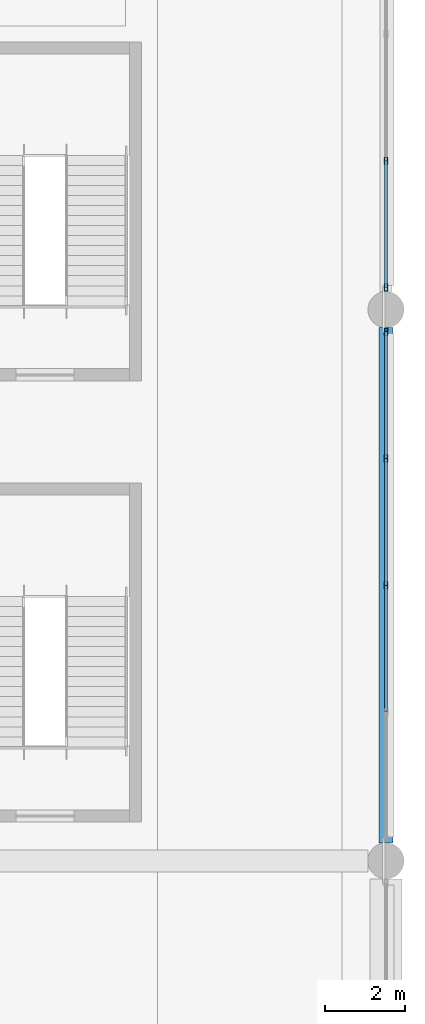
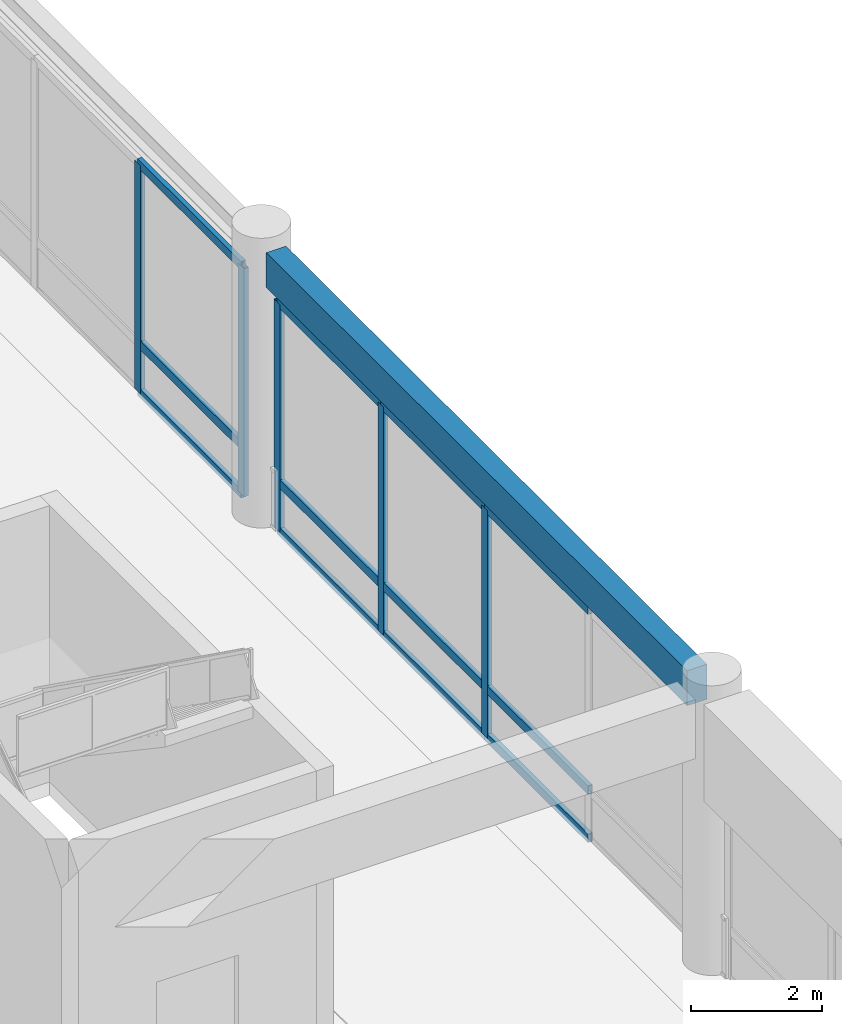
# One storey, part 61 of 117: 17 members, 1 beam, 2 elements without a shape of their own.
"""IFC4 building model written with IfcOpenShell, lengths in metres."""

from ifc_helpers import new_model, si_unit, direction, frame, origin, origin_2d, place, context, subcontext, project, spatial, rectangle, hollow_rectangle, extrude, material, material_profile, profile_set, type_object, element, aggregate, save


model = new_model("IFC4")

# Units and contexts
model_context = context("Model", 3, precision=1e-05, world=origin(), true_north=direction((0.0, 1.0)))
body_context = subcontext(model_context, "Body", "Model", "MODEL_VIEW")
ifc_project = project(units=[si_unit("LENGTHUNIT", "METRE"), si_unit("AREAUNIT", "SQUARE_METRE"), si_unit("VOLUMEUNIT", "CUBIC_METRE"), si_unit("PLANEANGLEUNIT", "RADIAN"), si_unit("MASSUNIT", "GRAM", prefix="KILO")], contexts=[model_context])

# Site, building, storey
site_placement = place(None, origin())
site = spatial("IfcSite", under=ifc_project, at=site_placement, CompositionType="ELEMENT")
building_placement = place(site_placement, origin())
building = spatial("IfcBuilding", under=site, at=building_placement, Name="Linyun Crest Stadium", CompositionType="ELEMENT")
storey_placement = place(building_placement, frame((0.0, 0.0, 6.0)))
storey = spatial("IfcBuildingStorey", under=building, at=storey_placement, Name="L02", CompositionType="ELEMENT", Elevation=6.0)

# Beam
ifc_material_1 = material(Name="Concrete C40", Category="concrete")
ifc_material_profile_1 = material_profile(ifc_material_1, rectangle(XDim=0.35009765625, YDim=0.64990234375, at=origin_2d()), Name="RCB 650x350")
ifc_profile_set_1 = profile_set([ifc_material_profile_1], Name="Concrete C40")
beam_type = type_object("IfcBeamType", Name="B02", PredefinedType="BEAM", material=ifc_profile_set_1)
beam_placement = place(storey_placement, frame((98.0, 16.324951171875, 4.824951171875), z_axis=(0.0, 1.0, 0.0), x_axis=(-1.0, 0.0, 0.0)))
element("IfcBeam", 1, at=beam_placement, inside=storey, type_object=beam_type, Name="Frame beam B02 L02 604", PredefinedType="BEAM", context=body_context, shape_type="SweptSolid", body=[
    extrude(rectangle(XDim=0.35009765625, YDim=0.64990234375, at=origin_2d()), origin(), (0.0, 0.0, 1.0), 12.85009765625),
])

# Curtain wall, members
ifc_material_2 = material(Name="Verdigris steel and low-E curtain wall assembly", Category="steel")
curtain_wall_type = type_object("IfcCurtainWallType", Name="MCW01", PredefinedType="NOTDEFINED", material=ifc_material_2)
curtain_wall_1_placement = place(storey_placement, origin())
curtain_wall_1 = element("IfcCurtainWall", 2, at=curtain_wall_1_placement, inside=storey, type_object=curtain_wall_type, Name="CWR-114", PredefinedType="NOTDEFINED")
ifc_material_3 = material(Name="Verdigris painted steel Q355B mullion", Category="steel")
ifc_material_profile_2 = material_profile(ifc_material_3, hollow_rectangle(XDim=0.080078125, YDim=0.179931640625, WallThickness=0.006103515625, at=origin_2d()), Name="RHS 180x80x6")
ifc_profile_set_2 = profile_set([ifc_material_profile_2], Name="Verdigris painted steel Q355B mullion")
member_type_1 = type_object("IfcMemberType", Name="ML02", PredefinedType="MULLION", material=ifc_profile_set_2)
member_1_placement = place(storey_placement, frame((98.0, 22.75, 0.0), z_axis=(0.0, 0.0, 1.0), x_axis=(-1.0, 0.0, 0.0)))
member_1 = element("IfcMember", 3, at=member_1_placement, type_object=member_type_1, Name="CWR-114 mullion 3", PredefinedType="MULLION", context=body_context, shape_type="SweptSolid", body=[
    extrude(hollow_rectangle(XDim=0.080078125, YDim=0.179931640625, WallThickness=0.006103515625, at=origin_2d()), origin(), (0.0, 0.0, 1.0), 4.25),
])
member_2_placement = place(storey_placement, frame((98.0, 25.912109375, 0.0), z_axis=(0.0, 0.0, 1.0), x_axis=(-1.0, 0.0, 0.0)))
member_2 = element("IfcMember", 4, at=member_2_placement, type_object=member_type_1, Name="CWR-114 mullion 4", PredefinedType="MULLION", context=body_context, shape_type="SweptSolid", body=[
    extrude(hollow_rectangle(XDim=0.080078125, YDim=0.179931640625, WallThickness=0.006103515625, at=origin_2d()), origin(), (0.0, 0.0, 1.0), 4.25),
])
member_3_placement = place(storey_placement, frame((98.0, 29.074951171875, 0.0), z_axis=(0.0, 0.0, 1.0), x_axis=(-1.0, 0.0, 0.0)))
member_3 = element("IfcMember", 5, at=member_3_placement, type_object=member_type_1, Name="CWR-114 mullion 5", PredefinedType="MULLION", context=body_context, shape_type="SweptSolid", body=[
    extrude(hollow_rectangle(XDim=0.080078125, YDim=0.179931640625, WallThickness=0.006103515625, at=origin_2d()), origin(), (0.0, 0.0, 1.0), 4.25),
])

curtain_wall_2_placement = place(storey_placement, origin())
curtain_wall_2 = element("IfcCurtainWall", 6, at=curtain_wall_2_placement, inside=storey, type_object=curtain_wall_type, Name="CWR-123", PredefinedType="NOTDEFINED")
member_4_placement = place(storey_placement, frame((98.0, 30.175048828125, 0.0), z_axis=(0.0, 0.0, 1.0), x_axis=(-1.0, 0.0, 0.0)))
member_4 = element("IfcMember", 7, at=member_4_placement, type_object=member_type_1, Name="CWR-123 mullion 1", PredefinedType="MULLION", context=body_context, shape_type="SweptSolid", body=[
    extrude(hollow_rectangle(XDim=0.080078125, YDim=0.179931640625, WallThickness=0.006103515625, at=origin_2d()), origin(), (0.0, 0.0, 1.0), 4.25),
])
member_5_placement = place(storey_placement, frame((98.0, 33.337890625, 0.0), z_axis=(0.0, 0.0, 1.0), x_axis=(-1.0, 0.0, 0.0)))
member_5 = element("IfcMember", 8, at=member_5_placement, type_object=member_type_1, Name="CWR-123 mullion 2", PredefinedType="MULLION", context=body_context, shape_type="SweptSolid", body=[
    extrude(hollow_rectangle(XDim=0.080078125, YDim=0.179931640625, WallThickness=0.006103515625, at=origin_2d()), origin(), (0.0, 0.0, 1.0), 4.25),
])

# Member
ifc_material_4 = material(Name="Aluminium thermally broken transom", Category="aluminium")
ifc_material_profile_3 = material_profile(ifc_material_4, hollow_rectangle(XDim=0.080078125, YDim=0.159912109375, WallThickness=0.006103515625, at=origin_2d()), Name="RHS 160x80x6")
ifc_profile_set_3 = profile_set([ifc_material_profile_3], Name="Aluminium thermally broken transom")
member_type_2 = type_object("IfcMemberType", Name="TR01", PredefinedType="USERDEFINED", material=ifc_profile_set_3)
member_6_placement = place(storey_placement, frame((98.0, 19.587890625, 0.0), z_axis=(0.0, 1.0, 0.0), x_axis=(-1.0, 0.0, 0.0)))
member_6 = element("IfcMember", 9, at=member_6_placement, type_object=member_type_2, Name="CWR-114 transom 2.1", ObjectType="TRANSOM", PredefinedType="USERDEFINED", context=body_context, shape_type="SweptSolid", body=[
    extrude(hollow_rectangle(XDim=0.080078125, YDim=0.159912109375, WallThickness=0.006103515625, at=origin_2d()), origin(), (0.0, 0.0, 1.0), 3.162109375),
])

member_7_placement = place(storey_placement, frame((98.0, 19.587890625, 0.89990234375), z_axis=(0.0, 1.0, 0.0), x_axis=(-1.0, 0.0, 0.0)))
member_7 = element("IfcMember", 10, at=member_7_placement, type_object=member_type_2, Name="CWR-114 transom 2.2", ObjectType="TRANSOM", PredefinedType="USERDEFINED", context=body_context, shape_type="SweptSolid", body=[
    extrude(hollow_rectangle(XDim=0.080078125, YDim=0.159912109375, WallThickness=0.006103515625, at=origin_2d()), origin(), (0.0, 0.0, 1.0), 3.162109375),
])

member_8_placement = place(storey_placement, frame((98.0, 19.587890625, 4.25), z_axis=(0.0, 1.0, 0.0), x_axis=(-1.0, 0.0, 0.0)))
member_8 = element("IfcMember", 11, at=member_8_placement, type_object=member_type_2, Name="CWR-114 transom 2.3", ObjectType="TRANSOM", PredefinedType="USERDEFINED", context=body_context, shape_type="SweptSolid", body=[
    extrude(hollow_rectangle(XDim=0.080078125, YDim=0.159912109375, WallThickness=0.006103515625, at=origin_2d()), origin(), (0.0, 0.0, 1.0), 3.162109375),
])

member_9_placement = place(storey_placement, frame((98.0, 22.75, 0.0), z_axis=(0.0, 1.0, 0.0), x_axis=(-1.0, 0.0, 0.0)))
member_9 = element("IfcMember", 12, at=member_9_placement, type_object=member_type_2, Name="CWR-114 transom 3.1", ObjectType="TRANSOM", PredefinedType="USERDEFINED", context=body_context, shape_type="SweptSolid", body=[
    extrude(hollow_rectangle(XDim=0.080078125, YDim=0.159912109375, WallThickness=0.006103515625, at=origin_2d()), origin(), (0.0, 0.0, 1.0), 3.162109375),
])

member_10_placement = place(storey_placement, frame((98.0, 22.75, 0.89990234375), z_axis=(0.0, 1.0, 0.0), x_axis=(-1.0, 0.0, 0.0)))
member_10 = element("IfcMember", 13, at=member_10_placement, type_object=member_type_2, Name="CWR-114 transom 3.2", ObjectType="TRANSOM", PredefinedType="USERDEFINED", context=body_context, shape_type="SweptSolid", body=[
    extrude(hollow_rectangle(XDim=0.080078125, YDim=0.159912109375, WallThickness=0.006103515625, at=origin_2d()), origin(), (0.0, 0.0, 1.0), 3.162109375),
])

member_11_placement = place(storey_placement, frame((98.0, 22.75, 4.25), z_axis=(0.0, 1.0, 0.0), x_axis=(-1.0, 0.0, 0.0)))
member_11 = element("IfcMember", 14, at=member_11_placement, type_object=member_type_2, Name="CWR-114 transom 3.3", ObjectType="TRANSOM", PredefinedType="USERDEFINED", context=body_context, shape_type="SweptSolid", body=[
    extrude(hollow_rectangle(XDim=0.080078125, YDim=0.159912109375, WallThickness=0.006103515625, at=origin_2d()), origin(), (0.0, 0.0, 1.0), 3.162109375),
])

member_12_placement = place(storey_placement, frame((98.0, 25.912109375, 0.0), z_axis=(0.0, 1.0, 0.0), x_axis=(-1.0, 0.0, 0.0)))
member_12 = element("IfcMember", 15, at=member_12_placement, type_object=member_type_2, Name="CWR-114 transom 4.1", ObjectType="TRANSOM", PredefinedType="USERDEFINED", context=body_context, shape_type="SweptSolid", body=[
    extrude(hollow_rectangle(XDim=0.080078125, YDim=0.159912109375, WallThickness=0.006103515625, at=origin_2d()), origin(), (0.0, 0.0, 1.0), 3.162841796875),
])

member_13_placement = place(storey_placement, frame((98.0, 25.912109375, 0.89990234375), z_axis=(0.0, 1.0, 0.0), x_axis=(-1.0, 0.0, 0.0)))
member_13 = element("IfcMember", 16, at=member_13_placement, type_object=member_type_2, Name="CWR-114 transom 4.2", ObjectType="TRANSOM", PredefinedType="USERDEFINED", context=body_context, shape_type="SweptSolid", body=[
    extrude(hollow_rectangle(XDim=0.080078125, YDim=0.159912109375, WallThickness=0.006103515625, at=origin_2d()), origin(), (0.0, 0.0, 1.0), 3.162841796875),
])

member_14_placement = place(storey_placement, frame((98.0, 25.912109375, 4.25), z_axis=(0.0, 1.0, 0.0), x_axis=(-1.0, 0.0, 0.0)))
member_14 = element("IfcMember", 17, at=member_14_placement, type_object=member_type_2, Name="CWR-114 transom 4.3", ObjectType="TRANSOM", PredefinedType="USERDEFINED", context=body_context, shape_type="SweptSolid", body=[
    extrude(hollow_rectangle(XDim=0.080078125, YDim=0.159912109375, WallThickness=0.006103515625, at=origin_2d()), origin(), (0.0, 0.0, 1.0), 3.162841796875),
])

aggregate(curtain_wall_1, [member_1, member_2, member_3, member_6, member_7, member_8, member_9, member_10, member_11, member_12, member_13, member_14])

member_15_placement = place(storey_placement, frame((98.0, 30.175048828125, 0.0), z_axis=(0.0, 1.0, 0.0), x_axis=(-1.0, 0.0, 0.0)))
member_15 = element("IfcMember", 18, at=member_15_placement, type_object=member_type_2, Name="CWR-123 transom 1.1", ObjectType="TRANSOM", PredefinedType="USERDEFINED", context=body_context, shape_type="SweptSolid", body=[
    extrude(hollow_rectangle(XDim=0.080078125, YDim=0.159912109375, WallThickness=0.006103515625, at=origin_2d()), origin(), (0.0, 0.0, 1.0), 3.162841796875),
])

member_16_placement = place(storey_placement, frame((98.0, 30.175048828125, 0.89990234375), z_axis=(0.0, 1.0, 0.0), x_axis=(-1.0, 0.0, 0.0)))
member_16 = element("IfcMember", 19, at=member_16_placement, type_object=member_type_2, Name="CWR-123 transom 1.2", ObjectType="TRANSOM", PredefinedType="USERDEFINED", context=body_context, shape_type="SweptSolid", body=[
    extrude(hollow_rectangle(XDim=0.080078125, YDim=0.159912109375, WallThickness=0.006103515625, at=origin_2d()), origin(), (0.0, 0.0, 1.0), 3.162841796875),
])

member_17_placement = place(storey_placement, frame((98.0, 30.175048828125, 4.25), z_axis=(0.0, 1.0, 0.0), x_axis=(-1.0, 0.0, 0.0)))
member_17 = element("IfcMember", 20, at=member_17_placement, type_object=member_type_2, Name="CWR-123 transom 1.3", ObjectType="TRANSOM", PredefinedType="USERDEFINED", context=body_context, shape_type="SweptSolid", body=[
    extrude(hollow_rectangle(XDim=0.080078125, YDim=0.159912109375, WallThickness=0.006103515625, at=origin_2d()), origin(), (0.0, 0.0, 1.0), 3.162841796875),
])

aggregate(curtain_wall_2, [member_4, member_5, member_15, member_16, member_17])

save(model, "model.ifc")
